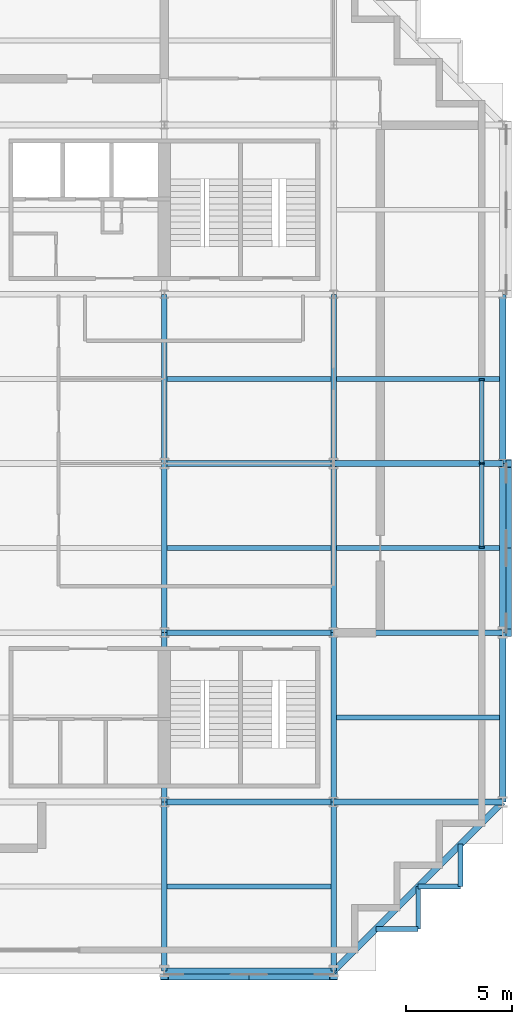
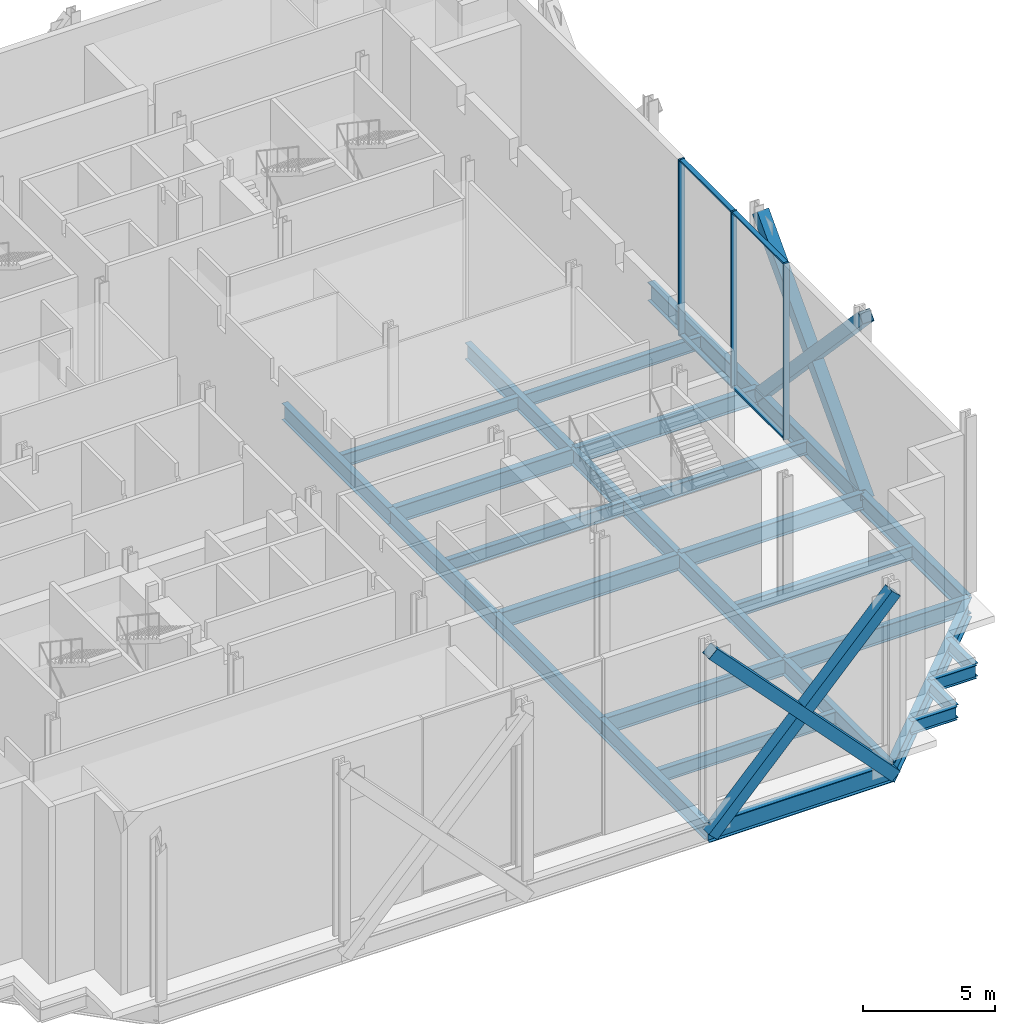
# One storey, part 4 of 13: 29 beams, 11 members, 1 element without a shape of its own.
"""IFC4 building model written with IfcOpenShell, lengths in metres."""

import ifcopenshell
import ifcopenshell.guid

model = None  # the IFC model being written
_history = None  # IfcOwnerHistory: only IFC2X3 demands one
_inside = {}  # id of a spatial element -> (the spatial element, [elements in it])
_under = {}  # id of a project, library or spatial element -> (it, [spatial elements below it])
_declared = {}  # id of a project -> (the project, [libraries it declares])
_typed = {}  # id of a type object -> (the type object, [elements of that type])
_made_of = {}  # id of a material, layer set ... -> (it, [elements and type objects made of it])


def new_model(schema):
    """Start an empty IFC model of exactly this schema.

    Asked for "IFC4X3", IfcOpenShell would pick the latest addendum, in which some entities
    have other attributes; the version numbers below select the first issue.
    IFC2X3 requires an IfcOwnerHistory on every rooted entity: one is made here for all.
    """
    global model, _history
    if schema == "IFC4X3":
        model = ifcopenshell.file(schema_version=(4, 3, 0, 0))
    else:
        model = ifcopenshell.file(schema=schema)
    _inside.clear()
    _under.clear()
    _declared.clear()
    _typed.clear()
    _made_of.clear()
    _history = None
    if model.schema == "IFC2X3":
        org = make("IfcOrganization", Name="unknown")
        user = make(
            "IfcPersonAndOrganization",
            ThePerson=make("IfcPerson", FamilyName="unknown"),
            TheOrganization=org,
        )
        app = make(
            "IfcApplication",
            ApplicationDeveloper=org,
            Version="unknown",
            ApplicationFullName="unknown",
            ApplicationIdentifier="unknown",
        )
        _history = make(
            "IfcOwnerHistory",
            OwningUser=user,
            OwningApplication=app,
            ChangeAction="ADDED",
            CreationDate=0,
        )
    return model


def make(cls, **values):
    """One entity of the class cls with the attributes given. An attribute that is None is left unset."""
    return model.create_entity(
        cls, **{name: value for name, value in values.items() if value is not None}
    )


def rooted(cls, **values):
    """An entity with a GlobalId (a new one), such as an element, a storey or a relation."""
    return make(cls, GlobalId=ifcopenshell.guid.new(), OwnerHistory=_history, **values)


def si_unit(unit_type, name, prefix=None):
    """IfcSIUnit, for example si_unit("LENGTHUNIT", "METRE", prefix="MILLI")."""
    return make("IfcSIUnit", UnitType=unit_type, Prefix=prefix, Name=name)


def assignment(units):
    """IfcUnitAssignment: the units of a project."""
    return None if units is None else make("IfcUnitAssignment", Units=units)


def point(xyz):
    """IfcCartesianPoint."""
    return None if xyz is None else make("IfcCartesianPoint", Coordinates=xyz)


def direction(xyz):
    """IfcDirection."""
    return None if xyz is None else make("IfcDirection", DirectionRatios=xyz)


def frame(location, z_axis=None, x_axis=None):
    """IfcAxis2Placement3D, a coordinate frame: its origin and axes. An axis left out is left unset."""
    return make(
        "IfcAxis2Placement3D",
        Location=point(location),
        Axis=direction(z_axis),
        RefDirection=direction(x_axis),
    )


def frame_2d(location, x_axis=None):
    """IfcAxis2Placement2D, a coordinate frame in the plane: its origin and x axis."""
    return make(
        "IfcAxis2Placement2D", Location=point(location), RefDirection=direction(x_axis)
    )


def origin():
    """The frame at (0, 0, 0) with its axes left unset."""
    return frame((0.0, 0.0, 0.0))


def origin_2d():
    """The frame at (0, 0) in the plane with its x axis left unset."""
    return frame_2d((0.0, 0.0))


def place(relative_to, where):
    """IfcLocalPlacement: puts the frame where relative to a parent placement (None: the world)."""
    return make(
        "IfcLocalPlacement", PlacementRelTo=relative_to, RelativePlacement=where
    )


def context(
    kind, dimensions, precision=None, world=None, true_north=None, identifier=None
):
    """IfcGeometricRepresentationContext, for example the 3D "Model" context."""
    return make(
        "IfcGeometricRepresentationContext",
        ContextIdentifier=identifier,
        ContextType=kind,
        CoordinateSpaceDimension=dimensions,
        Precision=precision,
        WorldCoordinateSystem=world,
        TrueNorth=true_north,
    )


def subcontext(parent, identifier, kind, view, scale=None):
    """IfcGeometricRepresentationSubContext, for example "Body" below "Model"."""
    return make(
        "IfcGeometricRepresentationSubContext",
        ContextIdentifier=identifier,
        ContextType=kind,
        ParentContext=parent,
        TargetScale=scale,
        TargetView=view,
    )


def project(units=None, contexts=None):
    """IfcProject with its units and contexts."""
    return rooted(
        "IfcProject",
        Name="project",
        RepresentationContexts=contexts,
        UnitsInContext=assignment(units),
    )


def spatial(cls, under=None, at=None, **own):
    """A site, building, storey or space (cls), placed at a placement, below another one or the project."""
    s = rooted(cls, ObjectPlacement=at, **own)
    if under is not None:
        _under.setdefault(under.id(), (under, []))[1].append(s)
    return s


def profile(cls, at=None, kind="AREA", **sizes):
    """A parametric profile (cls). Its sizes go by their IFC names, for example OverallWidth=200.0."""
    return make(cls, ProfileType=kind, Position=at, **sizes)


def rectangle(**sizes):
    """IfcRectangleProfileDef."""
    return profile("IfcRectangleProfileDef", **sizes)


def hollow_rectangle(**sizes):
    """IfcRectangleHollowProfileDef."""
    return profile("IfcRectangleHollowProfileDef", **sizes)


def i_section(**sizes):
    """IfcIShapeProfileDef."""
    return profile("IfcIShapeProfileDef", **sizes)


def extrude(swept, where, along, depth):
    """IfcExtrudedAreaSolid: the profile swept, set in the frame where, extruded along a direction by depth."""
    return make(
        "IfcExtrudedAreaSolid",
        SweptArea=swept,
        Position=where,
        ExtrudedDirection=direction(along),
        Depth=depth,
    )


def shape(context_of_items, identifier, shape_type, items):
    """IfcShapeRepresentation: the items that make up one representation, for example the "Body"."""
    return make(
        "IfcShapeRepresentation",
        ContextOfItems=context_of_items,
        RepresentationIdentifier=identifier,
        RepresentationType=shape_type,
        Items=items,
    )


def material(Name=None, Category=None):
    """IfcMaterial."""
    return make("IfcMaterial", Name=Name, Category=Category)


def material_profile(
    of_material, cross_section, Name=None, Category=None, Priority=None
):
    """IfcMaterialProfile: a cross section and its material."""
    return make(
        "IfcMaterialProfile",
        Name=Name,
        Material=of_material,
        Profile=cross_section,
        Priority=Priority,
        Category=Category,
    )


def profile_set(profiles, Name=None, composite=None):
    """IfcMaterialProfileSet."""
    return make(
        "IfcMaterialProfileSet",
        Name=Name,
        MaterialProfiles=profiles,
        CompositeProfile=composite,
    )


def made_of(thing, what):
    """Note that an element or type object is made of a material, layer set ...; save() writes the relation."""
    if what is not None:
        _made_of.setdefault(what.id(), (what, []))[1].append(thing)
    return thing


def type_object(cls, material=None, **own):
    """A type object (cls), such as IfcWallType, which elements share."""
    return made_of(rooted(cls, **own), material)


def element(
    cls,
    number,
    at=None,
    inside=None,
    cuts=None,
    type_object=None,
    material=None,
    context=None,
    identifier="Body",
    shape_type=None,
    held_by="IfcProductDefinitionShape",
    body=None,
    shapes=None,
    **own,
):
    """One element of the class cls, such as IfcWall. Its Tag is "e" and its number.

    at: its placement. inside: the storey or other place that contains it. cuts: it is an
    opening in that element (IfcRelVoidsElement). A single representation is given by context,
    identifier, shape_type and body (its items); several are given by shapes. held_by: the class
    of the entity that holds the representations. save() writes the other relations.
    """
    e = rooted(cls, Tag="e%d" % number, ObjectPlacement=at, **own)
    if body is not None:
        shapes = [shape(context, identifier, shape_type, body)]
    if shapes is not None:
        e.Representation = make(held_by, Representations=shapes)
    if inside is not None:
        _inside.setdefault(inside.id(), (inside, []))[1].append(e)
    if cuts is not None:
        rooted(
            "IfcRelVoidsElement", RelatingBuildingElement=cuts, RelatedOpeningElement=e
        )
    if type_object is not None:
        _typed.setdefault(type_object.id(), (type_object, []))[1].append(e)
    return made_of(e, material)


def aggregate(whole, parts):
    """IfcRelAggregates: a whole, such as a stair, and the parts it consists of."""
    return rooted("IfcRelAggregates", RelatingObject=whole, RelatedObjects=parts)


def save(model, path):
    """Write the relations noted so far, then the file.

    IfcRelAggregates (storeys below a building ...), IfcRelContainedInSpatialStructure (elements
    in a storey), IfcRelDefinesByType, IfcRelAssociatesMaterial and IfcRelDeclares: one each for
    every whole, place, type object, material and project.
    """
    for whole, parts in _under.values():
        aggregate(whole, parts)
    for where, things in _inside.values():
        rooted(
            "IfcRelContainedInSpatialStructure",
            RelatedElements=things,
            RelatingStructure=where,
        )
    for kind, things in _typed.values():
        rooted("IfcRelDefinesByType", RelatedObjects=things, RelatingType=kind)
    for what, things in _made_of.values():
        rooted("IfcRelAssociatesMaterial", RelatedObjects=things, RelatingMaterial=what)
    for by, libraries in _declared.values():
        rooted("IfcRelDeclares", RelatingContext=by, RelatedDefinitions=libraries)
    model.write(path)


model = new_model("IFC4")

# Units and contexts
model_context = context("Model", 3, precision=1e-05, world=origin(), true_north=direction((0.0, 1.0)))
body_context = subcontext(model_context, "Body", "Model", "MODEL_VIEW")
ifc_project = project(units=[si_unit("LENGTHUNIT", "METRE"), si_unit("AREAUNIT", "SQUARE_METRE"), si_unit("VOLUMEUNIT", "CUBIC_METRE"), si_unit("PLANEANGLEUNIT", "RADIAN"), si_unit("MASSUNIT", "GRAM", prefix="KILO")], contexts=[model_context])

# Site, building, storey
site_placement = place(None, origin())
site = spatial("IfcSite", under=ifc_project, at=site_placement, CompositionType="ELEMENT")
building_placement = place(site_placement, origin())
building = spatial("IfcBuilding", under=site, at=building_placement, Name="Immortelle Media Tower", CompositionType="ELEMENT")
storey_placement = place(building_placement, frame((0.0, 0.0, 21.0)))
storey = spatial("IfcBuildingStorey", under=building, at=storey_placement, Name="L02", CompositionType="ELEMENT", Elevation=21.0)

# Members
ifc_material_1 = material(Name="Steel ASTM A500 Gr C", Category="steel")
ifc_material_profile_1 = material_profile(ifc_material_1, hollow_rectangle(XDim=0.508056640625, YDim=0.508056640625, WallThickness=0.014892578125, at=origin_2d()), Name="HSS20x20x5/8 brace")
ifc_profile_set_1 = profile_set([ifc_material_profile_1], Name="Steel ASTM A500 Gr C")
member_type_1 = type_object("IfcMemberType", Name="HSS20x20x5/8 brace", PredefinedType="BRACE", material=ifc_profile_set_1)
for number, where, z_axis, x_axis, name in (
    (1, (32.0, -0.1640625, -0.7294921875), (0.687508336852, 0.0, 0.726176484582), (0.0, 1.0, 0.0), "Brace A/5-6 A"),
    (2, (32.0, -0.1640625, 7.720458984375), (0.687508336852, 0.0, -0.726176484582), (0.0, 1.0, 0.0), "Brace A/5-6 B"),
    (3, (48.1640625, 16.0, -0.7294921875), (0.0, 0.687508336852, 0.726176484582), (-1.0, 0.0, 0.0), "Brace 7/C-D A"),
    (4, (48.1640625, 16.0, 7.720458984375), (0.0, 0.687508336852, -0.726176484582), (-1.0, 0.0, 0.0), "Brace 7/C-D B"),
):
    element("IfcMember", number, at=place(storey_placement, frame(where, z_axis=z_axis, x_axis=x_axis)), inside=storey, type_object=member_type_1, Name=name, PredefinedType="BRACE", context=body_context, shape_type="SweptSolid", body=[
        extrude(hollow_rectangle(XDim=0.508056640625, YDim=0.508056640625, WallThickness=0.014892578125, at=origin_2d()), origin(), (0.0, 0.0, 1.0), 11.63623046875),
    ])

# Curtain wall, members
ifc_material_2 = material(Name="Aluminium curtain wall system", Category="aluminium")
curtain_wall_type = type_object("IfcCurtainWallType", Name="Media wall curtain wall", PredefinedType="NOTDEFINED", material=ifc_material_2)
curtain_wall_placement = place(storey_placement, origin())
curtain_wall = element("IfcCurtainWall", 5, at=curtain_wall_placement, inside=storey, type_object=curtain_wall_type, Name="Media wall L02 E 14-2", PredefinedType="NOTDEFINED")
ifc_material_3 = material(Name="Aluminium 6063-T6", Category="aluminium")
ifc_material_profile_2 = material_profile(ifc_material_3, rectangle(XDim=0.25, YDim=0.080078125, at=origin_2d()), Name="AL 80x250")
ifc_profile_set_2 = profile_set([ifc_material_profile_2], Name="Aluminium 6063-T6")
member_type_2 = type_object("IfcMemberType", Name="Media wall mullion 80 x 250", PredefinedType="MULLION", material=ifc_profile_set_2)
member_1_placement = place(storey_placement, frame((47.0, 20.0400390625, 0.0), z_axis=(0.0, 0.0, 1.0), x_axis=(-1.0, 0.0, 0.0)))
member_1 = element("IfcMember", 6, at=member_1_placement, type_object=member_type_2, Name="CW3 mullion 1", PredefinedType="MULLION", context=body_context, shape_type="SweptSolid", body=[
    extrude(rectangle(XDim=0.25, YDim=0.080078125, at=origin_2d()), origin(), (0.0, 0.0, 1.0), 8.14990234375),
])
member_2_placement = place(storey_placement, frame((47.0, 24.0, 0.0), z_axis=(0.0, 0.0, 1.0), x_axis=(-1.0, 0.0, 0.0)))
member_2 = element("IfcMember", 7, at=member_2_placement, type_object=member_type_2, Name="CW3 mullion 2", PredefinedType="MULLION", context=body_context, shape_type="SweptSolid", body=[
    extrude(rectangle(XDim=0.25, YDim=0.080078125, at=origin_2d()), origin(), (0.0, 0.0, 1.0), 8.14990234375),
])
member_3_placement = place(storey_placement, frame((47.0, 27.9599609375, 0.0), z_axis=(0.0, 0.0, 1.0), x_axis=(-1.0, 0.0, 0.0)))
member_3 = element("IfcMember", 8, at=member_3_placement, type_object=member_type_2, Name="CW3 mullion 3", PredefinedType="MULLION", context=body_context, shape_type="SweptSolid", body=[
    extrude(rectangle(XDim=0.25, YDim=0.080078125, at=origin_2d()), origin(), (0.0, 0.0, 1.0), 8.14990234375),
])
ifc_material_profile_3 = material_profile(ifc_material_3, rectangle(XDim=0.199951171875, YDim=0.080078125, at=origin_2d()), Name="AL 80x200")
ifc_profile_set_3 = profile_set([ifc_material_profile_3], Name="Aluminium 6063-T6")
member_type_3 = type_object("IfcMemberType", Name="Media wall transom 80 x 200", PredefinedType="USERDEFINED", material=ifc_profile_set_3)
member_4_placement = place(storey_placement, frame((47.0, 20.080078125, 0.0400390625), z_axis=(0.0, 1.0, 0.0), x_axis=(-1.0, 0.0, 0.0)))
member_4 = element("IfcMember", 9, at=member_4_placement, type_object=member_type_3, Name="CW3 transom 1.1", ObjectType="TRANSOM", PredefinedType="USERDEFINED", context=body_context, shape_type="SweptSolid", body=[
    extrude(rectangle(XDim=0.199951171875, YDim=0.080078125, at=origin_2d()), origin(), (0.0, 0.0, 1.0), 3.8798828125),
])
member_5_placement = place(storey_placement, frame((47.0, 20.080078125, 8.110107421875), z_axis=(0.0, 1.0, 0.0), x_axis=(-1.0, 0.0, 0.0)))
member_5 = element("IfcMember", 10, at=member_5_placement, type_object=member_type_3, Name="CW3 transom 1.2", ObjectType="TRANSOM", PredefinedType="USERDEFINED", context=body_context, shape_type="SweptSolid", body=[
    extrude(rectangle(XDim=0.199951171875, YDim=0.080078125, at=origin_2d()), origin(), (0.0, 0.0, 1.0), 3.8798828125),
])
member_6_placement = place(storey_placement, frame((47.0, 24.0400390625, 0.0400390625), z_axis=(0.0, 1.0, 0.0), x_axis=(-1.0, 0.0, 0.0)))
member_6 = element("IfcMember", 11, at=member_6_placement, type_object=member_type_3, Name="CW3 transom 2.1", ObjectType="TRANSOM", PredefinedType="USERDEFINED", context=body_context, shape_type="SweptSolid", body=[
    extrude(rectangle(XDim=0.199951171875, YDim=0.080078125, at=origin_2d()), origin(), (0.0, 0.0, 1.0), 3.8798828125),
])
member_7_placement = place(storey_placement, frame((47.0, 24.0400390625, 8.110107421875), z_axis=(0.0, 1.0, 0.0), x_axis=(-1.0, 0.0, 0.0)))
member_7 = element("IfcMember", 12, at=member_7_placement, type_object=member_type_3, Name="CW3 transom 2.2", ObjectType="TRANSOM", PredefinedType="USERDEFINED", context=body_context, shape_type="SweptSolid", body=[
    extrude(rectangle(XDim=0.199951171875, YDim=0.080078125, at=origin_2d()), origin(), (0.0, 0.0, 1.0), 3.8798828125),
])
aggregate(curtain_wall, [member_1, member_2, member_3, member_4, member_5, member_6, member_7])

# Beams
ifc_material_4 = material(Name="Steel ASTM A992 Gr 50", Category="steel")
ifc_material_profile_4 = material_profile(ifc_material_4, i_section(OverallWidth=0.22900390625, OverallDepth=0.612060546875, WebThickness=0.011962890625, FlangeThickness=0.02001953125, at=origin_2d()), Name="W24x84")
ifc_profile_set_4 = profile_set([ifc_material_profile_4], Name="Steel ASTM A992 Gr 50")
beam_type_1 = type_object("IfcBeamType", Name="W24x84 secondary beam", PredefinedType="JOIST", material=ifc_profile_set_4)
beam_1_placement = place(storey_placement, frame((32.133544921875, 4.0, -0.60595703125), z_axis=(1.0, 0.0, 0.0), x_axis=(0.0, 1.0, 0.0)))
element("IfcBeam", 13, at=beam_1_placement, inside=storey, type_object=beam_type_1, Name="Beam A-B/5-6", PredefinedType="JOIST", context=body_context, shape_type="SweptSolid", body=[
    extrude(i_section(OverallWidth=0.22900390625, OverallDepth=0.612060546875, WebThickness=0.011962890625, FlangeThickness=0.02001953125, at=origin_2d()), origin(), (0.0, 0.0, 1.0), 7.73291015625),
])
beam_2_placement = place(storey_placement, frame((40.133544921875, 12.0, -0.60595703125), z_axis=(1.0, 0.0, 0.0), x_axis=(0.0, 1.0, 0.0)))
element("IfcBeam", 14, at=beam_2_placement, inside=storey, type_object=beam_type_1, Name="Beam B-C/6-7", PredefinedType="JOIST", context=body_context, shape_type="SweptSolid", body=[
    extrude(i_section(OverallWidth=0.22900390625, OverallDepth=0.612060546875, WebThickness=0.011962890625, FlangeThickness=0.02001953125, at=origin_2d()), origin(), (0.0, 0.0, 1.0), 7.720458984375),
])
beam_3_placement = place(storey_placement, frame((32.133544921875, 20.0, -0.60595703125), z_axis=(1.0, 0.0, 0.0), x_axis=(0.0, 1.0, 0.0)))
element("IfcBeam", 15, at=beam_3_placement, inside=storey, type_object=beam_type_1, Name="Beam C-D/5-6", PredefinedType="JOIST", context=body_context, shape_type="SweptSolid", body=[
    extrude(i_section(OverallWidth=0.22900390625, OverallDepth=0.612060546875, WebThickness=0.011962890625, FlangeThickness=0.02001953125, at=origin_2d()), origin(), (0.0, 0.0, 1.0), 7.73291015625),
])
beam_4_placement = place(storey_placement, frame((40.133544921875, 20.0, -0.60595703125), z_axis=(1.0, 0.0, 0.0), x_axis=(0.0, 1.0, 0.0)))
element("IfcBeam", 16, at=beam_4_placement, inside=storey, type_object=beam_type_1, Name="Beam C-D/6-7", PredefinedType="JOIST", context=body_context, shape_type="SweptSolid", body=[
    extrude(i_section(OverallWidth=0.22900390625, OverallDepth=0.612060546875, WebThickness=0.011962890625, FlangeThickness=0.02001953125, at=origin_2d()), origin(), (0.0, 0.0, 1.0), 7.720458984375),
])
beam_5_placement = place(storey_placement, frame((32.133544921875, 28.0, -0.60595703125), z_axis=(1.0, 0.0, 0.0), x_axis=(0.0, 1.0, 0.0)))
element("IfcBeam", 17, at=beam_5_placement, inside=storey, type_object=beam_type_1, Name="Beam D-E/5-6", PredefinedType="JOIST", context=body_context, shape_type="SweptSolid", body=[
    extrude(i_section(OverallWidth=0.22900390625, OverallDepth=0.612060546875, WebThickness=0.011962890625, FlangeThickness=0.02001953125, at=origin_2d()), origin(), (0.0, 0.0, 1.0), 7.73291015625),
])
beam_6_placement = place(storey_placement, frame((40.133544921875, 28.0, -0.60595703125), z_axis=(1.0, 0.0, 0.0), x_axis=(0.0, 1.0, 0.0)))
element("IfcBeam", 18, at=beam_6_placement, inside=storey, type_object=beam_type_1, Name="Beam D-E/6-7", PredefinedType="JOIST", context=body_context, shape_type="SweptSolid", body=[
    extrude(i_section(OverallWidth=0.22900390625, OverallDepth=0.612060546875, WebThickness=0.011962890625, FlangeThickness=0.02001953125, at=origin_2d()), origin(), (0.0, 0.0, 1.0), 7.720458984375),
])
ifc_material_profile_5 = material_profile(ifc_material_4, i_section(OverallWidth=0.22900390625, OverallDepth=0.612060546875, WebThickness=0.011962890625, FlangeThickness=0.02001953125, at=origin_2d()), Name="W24x84")
ifc_profile_set_5 = profile_set([ifc_material_profile_5], Name="Steel ASTM A992 Gr 50")
beam_type_2 = type_object("IfcBeamType", Name="W24x84 serration edge beam", PredefinedType="SPANDREL", material=ifc_profile_set_5)
for number, where, z_axis, x_axis, name in (
    (19, (46.0, 6.0, -0.60595703125), (0.0, -1.0, 0.0), (1.0, 0.0, 0.0), "Corner edge beam 1 at 7/A"),
    (20, (46.0, 4.0, -0.60595703125), (-1.0, 0.0, 0.0), (0.0, -1.0, 0.0), "Corner edge beam 2 at 7/A"),
    (21, (44.0, 4.0, -0.60595703125), (0.0, -1.0, 0.0), (1.0, 0.0, 0.0), "Corner edge beam 3 at 7/A"),
    (22, (44.0, 2.0, -0.60595703125), (-1.0, 0.0, 0.0), (0.0, -1.0, 0.0), "Corner edge beam 4 at 7/A"),
):
    element("IfcBeam", number, at=place(storey_placement, frame(where, z_axis=z_axis, x_axis=x_axis)), inside=storey, type_object=beam_type_2, Name=name, PredefinedType="SPANDREL", context=body_context, shape_type="SweptSolid", body=[
        extrude(i_section(OverallWidth=0.22900390625, OverallDepth=0.612060546875, WebThickness=0.011962890625, FlangeThickness=0.02001953125, at=origin_2d()), origin(), (0.0, 0.0, 1.0), 2.0),
    ])
ifc_material_profile_6 = material_profile(ifc_material_4, i_section(OverallWidth=0.26708984375, OverallDepth=0.761962890625, WebThickness=0.013916015625, FlangeThickness=0.02197265625, at=origin_2d()), Name="W30x116")
ifc_profile_set_6 = profile_set([ifc_material_profile_6], Name="Steel ASTM A992 Gr 50")
beam_type_3 = type_object("IfcBeamType", Name="W30x116 girder", PredefinedType="BEAM", material=ifc_profile_set_6)
for number, where, z_axis, x_axis, name in (
    (23, (32.0, 0.0, -0.680908203125), (0.0, 1.0, 0.0), (-1.0, 0.0, 0.0), "Girder 5/A-B"),
    (24, (32.0, 8.0, -0.680908203125), (1.0, 0.0, 0.0), (0.0, 1.0, 0.0), "Girder B/5-6"),
    (25, (32.0, 8.0, -0.680908203125), (0.0, 1.0, 0.0), (-1.0, 0.0, 0.0), "Girder 5/B-C"),
    (26, (32.0, 16.0, -0.680908203125), (1.0, 0.0, 0.0), (0.0, 1.0, 0.0), "Girder C/5-6"),
    (27, (32.0, 16.0, -0.680908203125), (0.0, 1.0, 0.0), (-1.0, 0.0, 0.0), "Girder 5/C-D"),
    (28, (32.0, 24.0, -0.680908203125), (1.0, 0.0, 0.0), (0.0, 1.0, 0.0), "Girder D/5-6"),
    (29, (32.0, 24.0, -0.680908203125), (0.0, 1.0, 0.0), (-1.0, 0.0, 0.0), "Girder 5/D-E"),
    (30, (40.0, 0.0, -0.680908203125), (0.0, 1.0, 0.0), (-1.0, 0.0, 0.0), "Girder 6/A-B"),
    (31, (40.0, 8.0, -0.680908203125), (1.0, 0.0, 0.0), (0.0, 1.0, 0.0), "Girder B/6-7"),
    (32, (40.0, 8.0, -0.680908203125), (0.0, 1.0, 0.0), (-1.0, 0.0, 0.0), "Girder 6/B-C"),
    (33, (40.0, 16.0, -0.680908203125), (1.0, 0.0, 0.0), (0.0, 1.0, 0.0), "Girder C/6-7"),
    (34, (40.0, 16.0, -0.680908203125), (0.0, 1.0, 0.0), (-1.0, 0.0, 0.0), "Girder 6/C-D"),
    (35, (40.0, 24.0, -0.680908203125), (1.0, 0.0, 0.0), (0.0, 1.0, 0.0), "Girder D/6-7"),
    (36, (40.0, 24.0, -0.680908203125), (0.0, 1.0, 0.0), (-1.0, 0.0, 0.0), "Girder 6/D-E"),
):
    element("IfcBeam", number, at=place(storey_placement, frame(where, z_axis=z_axis, x_axis=x_axis)), inside=storey, type_object=beam_type_3, Name=name, PredefinedType="BEAM", context=body_context, shape_type="SweptSolid", body=[
        extrude(i_section(OverallWidth=0.26708984375, OverallDepth=0.761962890625, WebThickness=0.013916015625, FlangeThickness=0.02197265625, at=origin_2d()), origin(), (0.0, 0.0, 1.0), 8.0),
    ])
ifc_material_profile_7 = material_profile(ifc_material_4, i_section(OverallWidth=0.2919921875, OverallDepth=0.85888671875, WebThickness=0.01708984375, FlangeThickness=0.031005859375, at=origin_2d()), Name="W33x169")
ifc_profile_set_7 = profile_set([ifc_material_profile_7], Name="Steel ASTM A992 Gr 50")
beam_type_4 = type_object("IfcBeamType", Name="W33x169 perimeter girder", PredefinedType="SPANDREL", material=ifc_profile_set_7)
for number, where, z_axis, x_axis, name in (
    (37, (32.0, 0.0, -0.7294921875), (1.0, 0.0, 0.0), (0.0, 1.0, 0.0), "Girder A/5-6"),
    (38, (48.0, 8.0, -0.7294921875), (0.0, 1.0, 0.0), (-1.0, 0.0, 0.0), "Girder 7/B-C"),
    (39, (48.0, 16.0, -0.7294921875), (0.0, 1.0, 0.0), (-1.0, 0.0, 0.0), "Girder 7/C-D"),
    (40, (48.0, 24.0, -0.7294921875), (0.0, 1.0, 0.0), (-1.0, 0.0, 0.0), "Girder 7/D-E"),
):
    element("IfcBeam", number, at=place(storey_placement, frame(where, z_axis=z_axis, x_axis=x_axis)), inside=storey, type_object=beam_type_4, Name=name, PredefinedType="SPANDREL", context=body_context, shape_type="SweptSolid", body=[
        extrude(i_section(OverallWidth=0.2919921875, OverallDepth=0.85888671875, WebThickness=0.01708984375, FlangeThickness=0.031005859375, at=origin_2d()), origin(), (0.0, 0.0, 1.0), 8.0),
    ])
ifc_material_profile_8 = material_profile(ifc_material_4, i_section(OverallWidth=0.306884765625, OverallDepth=0.927001953125, WebThickness=0.01904296875, FlangeThickness=0.031982421875, at=origin_2d()), Name="W36x194")
ifc_profile_set_8 = profile_set([ifc_material_profile_8], Name="Steel ASTM A992 Gr 50")
beam_type_5 = type_object("IfcBeamType", Name="W36x194 corner girder", PredefinedType="SPANDREL", material=ifc_profile_set_8)
beam_7_placement = place(storey_placement, frame((48.0, 8.0, -0.763427734375), z_axis=(-0.707106781187, -0.707106781187, 0.0), x_axis=(0.707106781187, -0.707106781187, 0.0)))
element("IfcBeam", 41, at=beam_7_placement, inside=storey, type_object=beam_type_5, Name="Corner girder at 7/A", PredefinedType="SPANDREL", context=body_context, shape_type="SweptSolid", body=[
    extrude(i_section(OverallWidth=0.306884765625, OverallDepth=0.927001953125, WebThickness=0.01904296875, FlangeThickness=0.031982421875, at=origin_2d()), origin(), (0.0, 0.0, 1.0), 11.313720703125),
])

save(model, "model.ifc")
